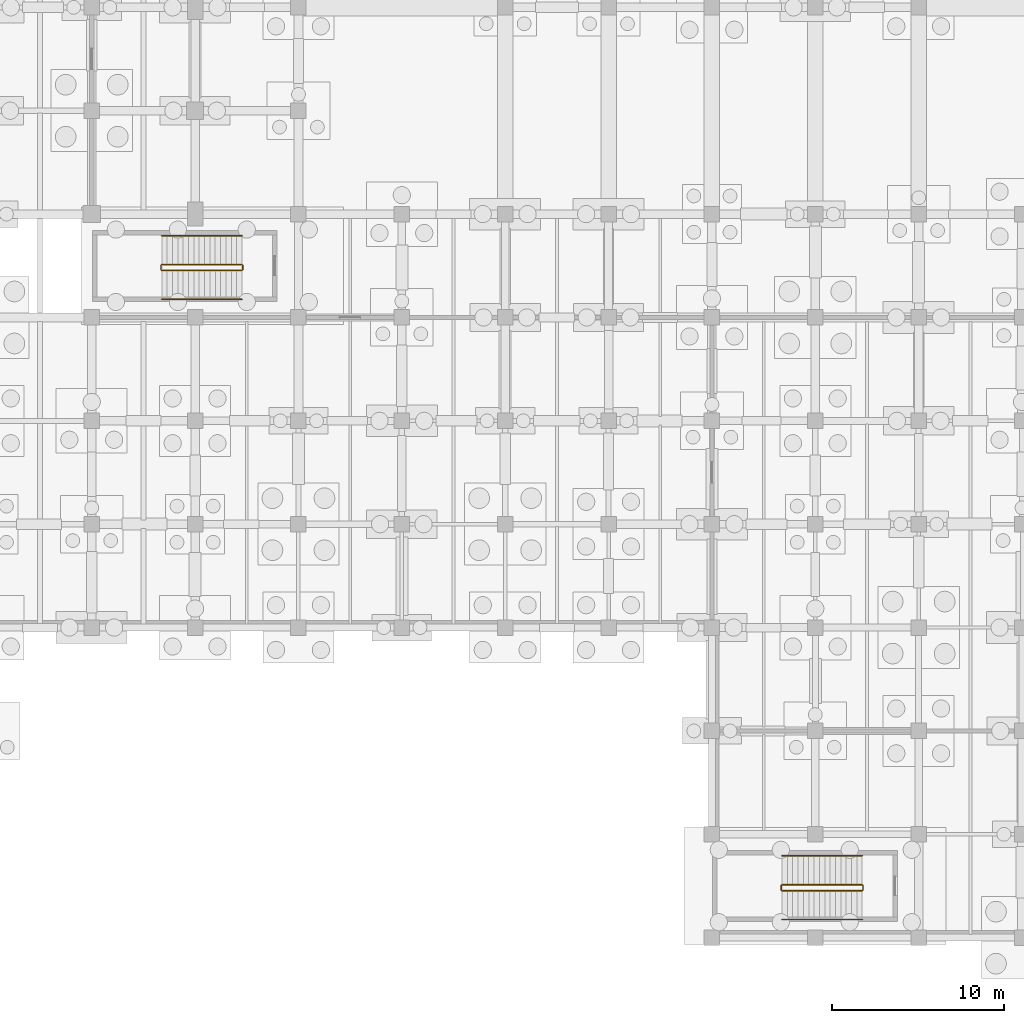
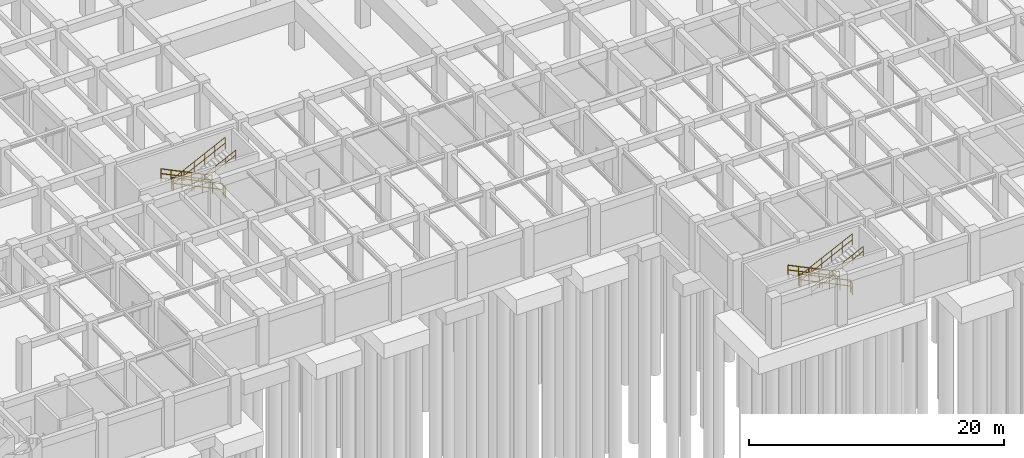
# One storey, part 49 of 54: 12 railings.
"""IFC4 building model written with IfcOpenShell, lengths in metres."""

from ifc_helpers import new_model, si_unit, direction, frame, origin, origin_2d, place, context, subcontext, project, spatial, circle, extrude, material, type_object, element, save


model = new_model("IFC4")

# Units and contexts
model_context = context("Model", 3, precision=1e-05, world=origin(), true_north=direction((0.0, 1.0)))
body_context = subcontext(model_context, "Body", "Model", "MODEL_VIEW")
ifc_project = project(units=[si_unit("LENGTHUNIT", "METRE"), si_unit("AREAUNIT", "SQUARE_METRE"), si_unit("VOLUMEUNIT", "CUBIC_METRE"), si_unit("PLANEANGLEUNIT", "RADIAN"), si_unit("MASSUNIT", "GRAM", prefix="KILO"), si_unit("THERMODYNAMICTEMPERATUREUNIT", "KELVIN"), si_unit("POWERUNIT", "WATT")], contexts=[model_context])

# Site, building, storey
site_placement = place(None, origin())
site = spatial("IfcSite", under=ifc_project, at=site_placement, CompositionType="ELEMENT")
building_placement = place(site_placement, origin())
building = spatial("IfcBuilding", under=site, at=building_placement, Name="Phaisarnlok Congress Hotel", CompositionType="ELEMENT")
storey_placement = place(building_placement, frame((0.0, 0.0, -4.800048828125)))
storey = spatial("IfcBuildingStorey", under=building, at=storey_placement, Name="B01", CompositionType="ELEMENT", Elevation=-4.800048828125)

# Railings
ifc_material_1 = material(Name="Painted Galvanised Steel S275", Category="steel")
railing_type_1 = type_object("IfcRailingType", Name="RLG-STR-GUARD", PredefinedType="BALUSTRADE", material=ifc_material_1)
railing_1_placement = place(storey_placement, frame((104.719970703125, 3.070068359375, 0.150146484375)))
element("IfcRailing", 1, at=railing_1_placement, inside=storey, type_object=railing_type_1, Name="B01 ST-04 stair guard 1", PredefinedType="BALUSTRADE", context=body_context, shape_type="SweptSolid", body=[
    extrude(circle(Radius=0.02392578125, at=origin_2d()), frame((0.0, 0.0, 1.076171875), z_axis=(-0.900155664878, 0.0, 0.435568340204), x_axis=(0.0, -1.0, 0.0)), (0.0, 0.0, 1.0), 5.165771484375),
    extrude(circle(Radius=0.02392578125, at=origin_2d()), frame((0.0, 0.0, 0.52587890625), z_axis=(-0.900155664878, 0.0, 0.435568340204), x_axis=(0.0, -1.0, 0.0)), (0.0, 0.0, 1.0), 5.165771484375),
    extrude(circle(Radius=0.02099609375, at=origin_2d()), origin(), (0.0, 0.0, 1.0), 1.052001953125),
    extrude(circle(Radius=0.02099609375, at=origin_2d()), frame((-0.929931640625, 0.0, 0.449951171875)), (0.0, 0.0, 1.0), 1.052001953125),
    extrude(circle(Radius=0.02099609375, at=origin_2d()), frame((-1.85986328125, 0.0, 0.89990234375)), (0.0, 0.0, 1.0), 1.052001953125),
    extrude(circle(Radius=0.02099609375, at=origin_2d()), frame((-2.7900390625, 0.0, 1.35009765625)), (0.0, 0.0, 1.0), 1.052001953125),
    extrude(circle(Radius=0.02099609375, at=origin_2d()), frame((-3.719970703125, 0.0, 1.800048828125)), (0.0, 0.0, 1.0), 1.052001953125),
    extrude(circle(Radius=0.02099609375, at=origin_2d()), frame((-4.64990234375, 0.0, 2.25)), (0.0, 0.0, 1.0), 1.052001953125),
])
railing_2_placement = place(storey_placement, frame((100.02001953125, 3.02001953125, 2.400146484375)))
element("IfcRailing", 2, at=railing_2_placement, inside=storey, type_object=railing_type_1, Name="B01 ST-04 stair guard 2", PredefinedType="BALUSTRADE", context=body_context, shape_type="SweptSolid", body=[
    extrude(circle(Radius=0.02392578125, at=origin_2d()), frame((0.0, 0.0, 1.076171875), z_axis=(0.0, -1.0, 0.0), x_axis=(1.0, 0.0, 0.0)), (0.0, 0.0, 1.0), 0.239990234375),
    extrude(circle(Radius=0.02392578125, at=origin_2d()), frame((0.0, 0.0, 0.52587890625), z_axis=(0.0, -1.0, 0.0), x_axis=(1.0, 0.0, 0.0)), (0.0, 0.0, 1.0), 0.239990234375),
    extrude(circle(Radius=0.02099609375, at=origin_2d()), origin(), (0.0, 0.0, 1.0), 1.052001953125),
    extrude(circle(Radius=0.02099609375, at=origin_2d()), frame((0.0, -0.239990234375, 0.0)), (0.0, 0.0, 1.0), 1.052001953125),
])
railing_3_placement = place(storey_placement, frame((100.070068359375, 2.72998046875, 2.550048828125)))
element("IfcRailing", 3, at=railing_3_placement, inside=storey, type_object=railing_type_1, Name="B01 ST-04 stair guard 3", PredefinedType="BALUSTRADE", context=body_context, shape_type="SweptSolid", body=[
    extrude(circle(Radius=0.02392578125, at=origin_2d()), frame((0.0, 0.0, 1.076171875), z_axis=(0.900155664878, 0.0, 0.435568340204), x_axis=(0.0, 1.0, 0.0)), (0.0, 0.0, 1.0), 5.165771484375),
    extrude(circle(Radius=0.02392578125, at=origin_2d()), frame((0.0, 0.0, 0.52587890625), z_axis=(0.900155664878, 0.0, 0.435568340204), x_axis=(0.0, 1.0, 0.0)), (0.0, 0.0, 1.0), 5.165771484375),
    extrude(circle(Radius=0.02099609375, at=origin_2d()), origin(), (0.0, 0.0, 1.0), 1.052001953125),
    extrude(circle(Radius=0.02099609375, at=origin_2d()), frame((0.929931640625, 0.0, 0.449951171875)), (0.0, 0.0, 1.0), 1.052001953125),
    extrude(circle(Radius=0.02099609375, at=origin_2d()), frame((1.85986328125, 0.0, 0.89990234375)), (0.0, 0.0, 1.0), 1.052001953125),
    extrude(circle(Radius=0.02099609375, at=origin_2d()), frame((2.7900390625, 0.0, 1.35009765625)), (0.0, 0.0, 1.0), 1.052001953125),
    extrude(circle(Radius=0.02099609375, at=origin_2d()), frame((3.719970703125, 0.0, 1.800048828125)), (0.0, 0.0, 1.0), 1.052001953125),
    extrude(circle(Radius=0.02099609375, at=origin_2d()), frame((4.64990234375, 0.0, 2.25)), (0.0, 0.0, 1.0), 1.052001953125),
])
railing_4_placement = place(storey_placement, frame((104.77001953125, 3.02001953125, 0.0)))
element("IfcRailing", 4, at=railing_4_placement, inside=storey, type_object=railing_type_1, Name="B01 ST-04 stair guard 4", PredefinedType="BALUSTRADE", context=body_context, shape_type="SweptSolid", body=[
    extrude(circle(Radius=0.02392578125, at=origin_2d()), frame((0.0, 0.0, 1.076171875), z_axis=(0.0, -1.0, 0.0), x_axis=(1.0, 0.0, 0.0)), (0.0, 0.0, 1.0), 0.239990234375),
    extrude(circle(Radius=0.02392578125, at=origin_2d()), frame((0.0, 0.0, 0.52587890625), z_axis=(0.0, -1.0, 0.0), x_axis=(1.0, 0.0, 0.0)), (0.0, 0.0, 1.0), 0.239990234375),
    extrude(circle(Radius=0.02099609375, at=origin_2d()), origin(), (0.0, 0.0, 1.0), 1.052001953125),
    extrude(circle(Radius=0.02099609375, at=origin_2d()), frame((0.0, -0.239990234375, 0.0)), (0.0, 0.0, 1.0), 1.052001953125),
])
railing_5_placement = place(storey_placement, frame((68.719970703125, 39.070068359375, 0.150146484375)))
element("IfcRailing", 5, at=railing_5_placement, inside=storey, type_object=railing_type_1, Name="B01 ST-12 stair guard 1", PredefinedType="BALUSTRADE", context=body_context, shape_type="SweptSolid", body=[
    extrude(circle(Radius=0.02392578125, at=origin_2d()), frame((0.0, 0.0, 1.076171875), z_axis=(-0.900155664878, 0.0, 0.435568340204), x_axis=(0.0, -1.0, 0.0)), (0.0, 0.0, 1.0), 5.165771484375),
    extrude(circle(Radius=0.02392578125, at=origin_2d()), frame((0.0, 0.0, 0.52587890625), z_axis=(-0.900155664878, 0.0, 0.435568340204), x_axis=(0.0, -1.0, 0.0)), (0.0, 0.0, 1.0), 5.165771484375),
    extrude(circle(Radius=0.02099609375, at=origin_2d()), origin(), (0.0, 0.0, 1.0), 1.052001953125),
    extrude(circle(Radius=0.02099609375, at=origin_2d()), frame((-0.929931640625, 0.0, 0.449951171875)), (0.0, 0.0, 1.0), 1.052001953125),
    extrude(circle(Radius=0.02099609375, at=origin_2d()), frame((-1.85986328125, 0.0, 0.89990234375)), (0.0, 0.0, 1.0), 1.052001953125),
    extrude(circle(Radius=0.02099609375, at=origin_2d()), frame((-2.7900390625, 0.0, 1.35009765625)), (0.0, 0.0, 1.0), 1.052001953125),
    extrude(circle(Radius=0.02099609375, at=origin_2d()), frame((-3.719970703125, 0.0, 1.800048828125)), (0.0, 0.0, 1.0), 1.052001953125),
    extrude(circle(Radius=0.02099609375, at=origin_2d()), frame((-4.64990234375, 0.0, 2.25)), (0.0, 0.0, 1.0), 1.052001953125),
])
railing_6_placement = place(storey_placement, frame((64.02001953125, 39.02001953125, 2.400146484375)))
element("IfcRailing", 6, at=railing_6_placement, inside=storey, type_object=railing_type_1, Name="B01 ST-12 stair guard 2", PredefinedType="BALUSTRADE", context=body_context, shape_type="SweptSolid", body=[
    extrude(circle(Radius=0.02392578125, at=origin_2d()), frame((0.0, 0.0, 1.076171875), z_axis=(0.0, -1.0, 0.0), x_axis=(1.0, 0.0, 0.0)), (0.0, 0.0, 1.0), 0.239990234375),
    extrude(circle(Radius=0.02392578125, at=origin_2d()), frame((0.0, 0.0, 0.52587890625), z_axis=(0.0, -1.0, 0.0), x_axis=(1.0, 0.0, 0.0)), (0.0, 0.0, 1.0), 0.239990234375),
    extrude(circle(Radius=0.02099609375, at=origin_2d()), origin(), (0.0, 0.0, 1.0), 1.052001953125),
    extrude(circle(Radius=0.02099609375, at=origin_2d()), frame((0.0, -0.239990234375, 0.0)), (0.0, 0.0, 1.0), 1.052001953125),
])
railing_7_placement = place(storey_placement, frame((64.070068359375, 38.72998046875, 2.550048828125)))
element("IfcRailing", 7, at=railing_7_placement, inside=storey, type_object=railing_type_1, Name="B01 ST-12 stair guard 3", PredefinedType="BALUSTRADE", context=body_context, shape_type="SweptSolid", body=[
    extrude(circle(Radius=0.02392578125, at=origin_2d()), frame((0.0, 0.0, 1.076171875), z_axis=(0.900155664878, 0.0, 0.435568340204), x_axis=(0.0, 1.0, 0.0)), (0.0, 0.0, 1.0), 5.165771484375),
    extrude(circle(Radius=0.02392578125, at=origin_2d()), frame((0.0, 0.0, 0.52587890625), z_axis=(0.900155664878, 0.0, 0.435568340204), x_axis=(0.0, 1.0, 0.0)), (0.0, 0.0, 1.0), 5.165771484375),
    extrude(circle(Radius=0.02099609375, at=origin_2d()), origin(), (0.0, 0.0, 1.0), 1.052001953125),
    extrude(circle(Radius=0.02099609375, at=origin_2d()), frame((0.929931640625, 0.0, 0.449951171875)), (0.0, 0.0, 1.0), 1.052001953125),
    extrude(circle(Radius=0.02099609375, at=origin_2d()), frame((1.85986328125, 0.0, 0.89990234375)), (0.0, 0.0, 1.0), 1.052001953125),
    extrude(circle(Radius=0.02099609375, at=origin_2d()), frame((2.7900390625, 0.0, 1.35009765625)), (0.0, 0.0, 1.0), 1.052001953125),
    extrude(circle(Radius=0.02099609375, at=origin_2d()), frame((3.719970703125, 0.0, 1.800048828125)), (0.0, 0.0, 1.0), 1.052001953125),
    extrude(circle(Radius=0.02099609375, at=origin_2d()), frame((4.64990234375, 0.0, 2.25)), (0.0, 0.0, 1.0), 1.052001953125),
])
railing_8_placement = place(storey_placement, frame((68.77001953125, 39.02001953125, 0.0)))
element("IfcRailing", 8, at=railing_8_placement, inside=storey, type_object=railing_type_1, Name="B01 ST-12 stair guard 4", PredefinedType="BALUSTRADE", context=body_context, shape_type="SweptSolid", body=[
    extrude(circle(Radius=0.02392578125, at=origin_2d()), frame((0.0, 0.0, 1.076171875), z_axis=(0.0, -1.0, 0.0), x_axis=(1.0, 0.0, 0.0)), (0.0, 0.0, 1.0), 0.239990234375),
    extrude(circle(Radius=0.02392578125, at=origin_2d()), frame((0.0, 0.0, 0.52587890625), z_axis=(0.0, -1.0, 0.0), x_axis=(1.0, 0.0, 0.0)), (0.0, 0.0, 1.0), 0.239990234375),
    extrude(circle(Radius=0.02099609375, at=origin_2d()), origin(), (0.0, 0.0, 1.0), 1.052001953125),
    extrude(circle(Radius=0.02099609375, at=origin_2d()), frame((0.0, -0.239990234375, 0.0)), (0.0, 0.0, 1.0), 1.052001953125),
])
ifc_material_2 = material(Name="Brushed Stainless Steel Grade 304", Category="steel")
railing_type_2 = type_object("IfcRailingType", Name="RLG-STR-HRAIL", PredefinedType="HANDRAIL", material=ifc_material_2)
railing_9_placement = place(storey_placement, frame((104.719970703125, 4.75, 0.150146484375)))
element("IfcRailing", 9, at=railing_9_placement, inside=storey, type_object=railing_type_2, Name="B01 ST-04 stair handrail 1", PredefinedType="HANDRAIL", context=body_context, shape_type="SweptSolid", body=[
    extrude(circle(Radius=0.02392578125, at=origin_2d()), frame((0.0, 0.0, 0.8759765625), z_axis=(-0.900155664878, 0.0, 0.435568340204), x_axis=(0.0, -1.0, 0.0)), (0.0, 0.0, 1.0), 5.165771484375),
    extrude(circle(Radius=0.02392578125, at=origin_2d()), frame((0.0, 0.0, 0.42578125), z_axis=(-0.900155664878, 0.0, 0.435568340204), x_axis=(0.0, -1.0, 0.0)), (0.0, 0.0, 1.0), 5.165771484375),
    extrude(circle(Radius=0.02099609375, at=origin_2d()), origin(), (0.0, 0.0, 1.0), 0.851806640625),
    extrude(circle(Radius=0.02099609375, at=origin_2d()), frame((-0.929931640625, 0.0, 0.449951171875)), (0.0, 0.0, 1.0), 0.851806640625),
    extrude(circle(Radius=0.02099609375, at=origin_2d()), frame((-1.85986328125, 0.0, 0.89990234375)), (0.0, 0.0, 1.0), 0.851806640625),
    extrude(circle(Radius=0.02099609375, at=origin_2d()), frame((-2.7900390625, 0.0, 1.35009765625)), (0.0, 0.0, 1.0), 0.851806640625),
    extrude(circle(Radius=0.02099609375, at=origin_2d()), frame((-3.719970703125, 0.0, 1.800048828125)), (0.0, 0.0, 1.0), 0.851806640625),
    extrude(circle(Radius=0.02099609375, at=origin_2d()), frame((-4.64990234375, 0.0, 2.25)), (0.0, 0.0, 1.0), 0.851806640625),
])
railing_10_placement = place(storey_placement, frame((100.070068359375, 1.050048828125, 2.550048828125)))
element("IfcRailing", 10, at=railing_10_placement, inside=storey, type_object=railing_type_2, Name="B01 ST-04 stair handrail 2", PredefinedType="HANDRAIL", context=body_context, shape_type="SweptSolid", body=[
    extrude(circle(Radius=0.02392578125, at=origin_2d()), frame((0.0, 0.0, 0.8759765625), z_axis=(0.900155664878, 0.0, 0.435568340204), x_axis=(0.0, 1.0, 0.0)), (0.0, 0.0, 1.0), 5.165771484375),
    extrude(circle(Radius=0.02392578125, at=origin_2d()), frame((0.0, 0.0, 0.42578125), z_axis=(0.900155664878, 0.0, 0.435568340204), x_axis=(0.0, 1.0, 0.0)), (0.0, 0.0, 1.0), 5.165771484375),
    extrude(circle(Radius=0.02099609375, at=origin_2d()), origin(), (0.0, 0.0, 1.0), 0.851806640625),
    extrude(circle(Radius=0.02099609375, at=origin_2d()), frame((0.929931640625, 0.0, 0.449951171875)), (0.0, 0.0, 1.0), 0.851806640625),
    extrude(circle(Radius=0.02099609375, at=origin_2d()), frame((1.85986328125, 0.0, 0.89990234375)), (0.0, 0.0, 1.0), 0.851806640625),
    extrude(circle(Radius=0.02099609375, at=origin_2d()), frame((2.7900390625, 0.0, 1.35009765625)), (0.0, 0.0, 1.0), 0.851806640625),
    extrude(circle(Radius=0.02099609375, at=origin_2d()), frame((3.719970703125, 0.0, 1.800048828125)), (0.0, 0.0, 1.0), 0.851806640625),
    extrude(circle(Radius=0.02099609375, at=origin_2d()), frame((4.64990234375, 0.0, 2.25)), (0.0, 0.0, 1.0), 0.851806640625),
])
railing_11_placement = place(storey_placement, frame((68.719970703125, 40.75, 0.150146484375)))
element("IfcRailing", 11, at=railing_11_placement, inside=storey, type_object=railing_type_2, Name="B01 ST-12 stair handrail 1", PredefinedType="HANDRAIL", context=body_context, shape_type="SweptSolid", body=[
    extrude(circle(Radius=0.02392578125, at=origin_2d()), frame((0.0, 0.0, 0.8759765625), z_axis=(-0.900155664878, 0.0, 0.435568340204), x_axis=(0.0, -1.0, 0.0)), (0.0, 0.0, 1.0), 5.165771484375),
    extrude(circle(Radius=0.02392578125, at=origin_2d()), frame((0.0, 0.0, 0.42578125), z_axis=(-0.900155664878, 0.0, 0.435568340204), x_axis=(0.0, -1.0, 0.0)), (0.0, 0.0, 1.0), 5.165771484375),
    extrude(circle(Radius=0.02099609375, at=origin_2d()), origin(), (0.0, 0.0, 1.0), 0.851806640625),
    extrude(circle(Radius=0.02099609375, at=origin_2d()), frame((-0.929931640625, 0.0, 0.449951171875)), (0.0, 0.0, 1.0), 0.851806640625),
    extrude(circle(Radius=0.02099609375, at=origin_2d()), frame((-1.85986328125, 0.0, 0.89990234375)), (0.0, 0.0, 1.0), 0.851806640625),
    extrude(circle(Radius=0.02099609375, at=origin_2d()), frame((-2.7900390625, 0.0, 1.35009765625)), (0.0, 0.0, 1.0), 0.851806640625),
    extrude(circle(Radius=0.02099609375, at=origin_2d()), frame((-3.719970703125, 0.0, 1.800048828125)), (0.0, 0.0, 1.0), 0.851806640625),
    extrude(circle(Radius=0.02099609375, at=origin_2d()), frame((-4.64990234375, 0.0, 2.25)), (0.0, 0.0, 1.0), 0.851806640625),
])
railing_12_placement = place(storey_placement, frame((64.070068359375, 37.050048828125, 2.550048828125)))
element("IfcRailing", 12, at=railing_12_placement, inside=storey, type_object=railing_type_2, Name="B01 ST-12 stair handrail 2", PredefinedType="HANDRAIL", context=body_context, shape_type="SweptSolid", body=[
    extrude(circle(Radius=0.02392578125, at=origin_2d()), frame((0.0, 0.0, 0.8759765625), z_axis=(0.900155664878, 0.0, 0.435568340204), x_axis=(0.0, 1.0, 0.0)), (0.0, 0.0, 1.0), 5.165771484375),
    extrude(circle(Radius=0.02392578125, at=origin_2d()), frame((0.0, 0.0, 0.42578125), z_axis=(0.900155664878, 0.0, 0.435568340204), x_axis=(0.0, 1.0, 0.0)), (0.0, 0.0, 1.0), 5.165771484375),
    extrude(circle(Radius=0.02099609375, at=origin_2d()), origin(), (0.0, 0.0, 1.0), 0.851806640625),
    extrude(circle(Radius=0.02099609375, at=origin_2d()), frame((0.929931640625, 0.0, 0.449951171875)), (0.0, 0.0, 1.0), 0.851806640625),
    extrude(circle(Radius=0.02099609375, at=origin_2d()), frame((1.85986328125, 0.0, 0.89990234375)), (0.0, 0.0, 1.0), 0.851806640625),
    extrude(circle(Radius=0.02099609375, at=origin_2d()), frame((2.7900390625, 0.0, 1.35009765625)), (0.0, 0.0, 1.0), 0.851806640625),
    extrude(circle(Radius=0.02099609375, at=origin_2d()), frame((3.719970703125, 0.0, 1.800048828125)), (0.0, 0.0, 1.0), 0.851806640625),
    extrude(circle(Radius=0.02099609375, at=origin_2d()), frame((4.64990234375, 0.0, 2.25)), (0.0, 0.0, 1.0), 0.851806640625),
])

save(model, "model.ifc")
